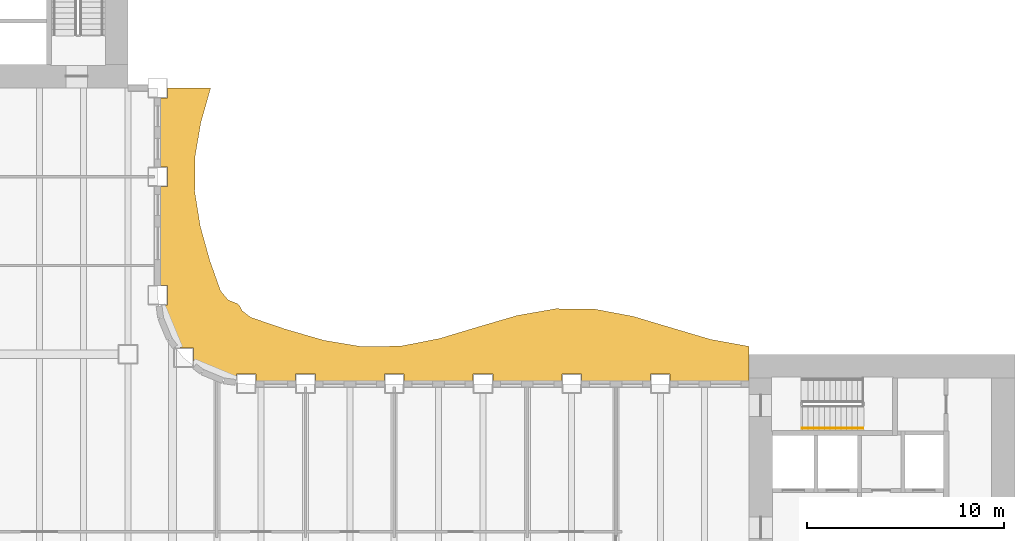
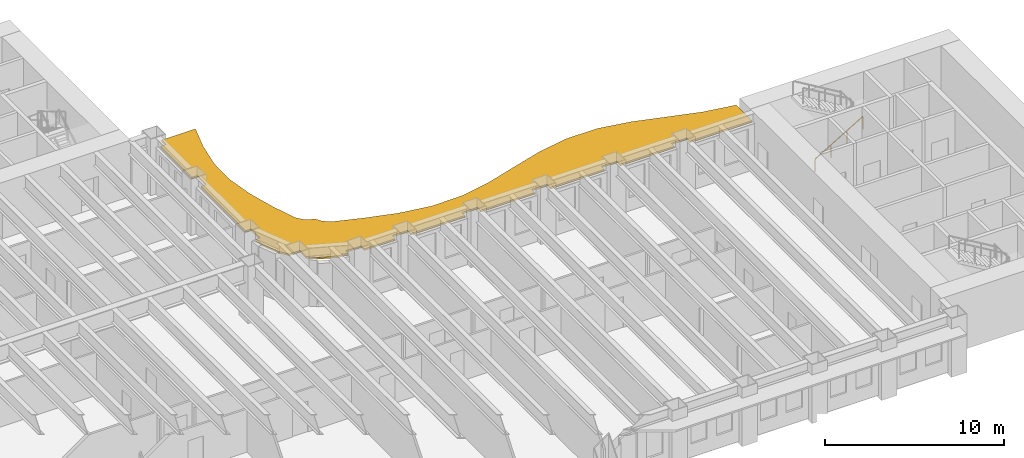
# One storey, part 14 of 16: 1 railing, 1 shading device.
"""IFC4 building model written with IfcOpenShell, lengths in metres."""

from ifc_helpers import new_model, si_unit, direction, frame, origin, origin_2d, place, context, subcontext, project, spatial, polyline, rectangle, outline, extrude, material, layer, layer_set, type_object, element, save


model = new_model("IFC4")

# Units and contexts
model_context = context("Model", 3, precision=1e-05, world=origin(), true_north=direction((0.0, 1.0)))
body_context = subcontext(model_context, "Body", "Model", "MODEL_VIEW")
ifc_project = project(units=[si_unit("LENGTHUNIT", "METRE"), si_unit("AREAUNIT", "SQUARE_METRE"), si_unit("VOLUMEUNIT", "CUBIC_METRE"), si_unit("PLANEANGLEUNIT", "RADIAN"), si_unit("MASSUNIT", "GRAM", prefix="KILO")], contexts=[model_context])

# Site, building, storey
site_placement = place(None, origin())
site = spatial("IfcSite", under=ifc_project, at=site_placement, CompositionType="ELEMENT")
building_placement = place(site_placement, origin())
building = spatial("IfcBuilding", under=site, at=building_placement, Name="Sennacour Bend Tower", CompositionType="ELEMENT")
storey_placement = place(building_placement, frame((0.0, 0.0, 87.0)))
storey = spatial("IfcBuildingStorey", under=building, at=storey_placement, Name="L19", CompositionType="ELEMENT", Elevation=87.0)

# Railing
ifc_material_1 = material(Name="Stainless steel", Category="steel")
railing_type = type_object("IfcRailingType", Name="RL-HANDRAIL-900", PredefinedType="HANDRAIL", material=ifc_material_1)
railing_placement = place(storey_placement, frame((56.699951171875, 18.75, 0.166748046875)))
element("IfcRailing", 1, at=railing_placement, inside=storey, type_object=railing_type, Name="L19 SA2 stair handrail 1", PredefinedType="HANDRAIL", context=body_context, shape_type="SweptSolid", body=[
    extrude(rectangle(XDim=0.048095703125, YDim=0.048095703125, at=origin_2d()), frame((0.0, 0.0, 0.8759765625), z_axis=(0.859308565015, 0.0, 0.511457515432), x_axis=(0.0, 1.0, 0.0)), (0.0, 0.0, 1.0), 3.58447265625),
    extrude(rectangle(XDim=0.0419921875, YDim=0.0419921875, at=origin_2d()), origin(), (0.0, 0.0, 1.0), 0.851806640625),
    extrude(rectangle(XDim=0.0419921875, YDim=0.0419921875, at=origin_2d()), frame((1.026611328125, 0.0, 0.611083984375)), (0.0, 0.0, 1.0), 0.851806640625),
    extrude(rectangle(XDim=0.0419921875, YDim=0.0419921875, at=origin_2d()), frame((2.053466796875, 0.0, 1.22216796875)), (0.0, 0.0, 1.0), 0.851806640625),
    extrude(rectangle(XDim=0.0419921875, YDim=0.0419921875, at=origin_2d()), frame((3.080078125, 0.0, 1.833251953125)), (0.0, 0.0, 1.0), 0.851806640625),
])

# Shading device
ifc_material_2 = material(Name="Bronze anodised aluminium", Category="aluminium")
ifc_layer = layer(ifc_material_2, 0.1201171875, Name="Bronze anodised aluminium", Category="aluminium")
ifc_layer_set = layer_set([ifc_layer], Name="Bronze anodised aluminium")
shading_device_type = type_object("IfcShadingDeviceType", Name="SUNSHADE BAND WAVE", PredefinedType="USERDEFINED", material=ifc_layer_set)
shading_device_placement = place(storey_placement, frame((0.0, 0.0, 3.033935546875)))
element("IfcShadingDevice", 2, at=shading_device_placement, inside=storey, type_object=shading_device_type, Name="Sunshade band L19 concave faces", ObjectType="SUNSHADE", PredefinedType="USERDEFINED", context=body_context, shape_type="SweptSolid", body=[
    extrude(outline(polyline([(54.0, 21.14990234375), (50.0, 21.14990234375), (50.0, 21.5), (49.0, 21.5), (49.0, 21.14990234375), (45.5, 21.14990234375), (45.5, 21.5), (44.5, 21.5), (44.5, 21.14990234375), (41.0, 21.14990234375), (41.0, 21.5), (40.0, 21.5), (40.0, 21.14990234375), (36.5, 21.14990234375), (36.5, 21.5), (35.5, 21.5), (35.5, 21.14990234375), (32.0, 21.14990234375), (32.0, 21.5), (31.0, 21.5), (31.0, 21.14990234375), (29.0, 21.14990234375), (29.0, 21.5), (28.0, 21.5), (28.0, 21.217041015625), (27.37451171875, 21.299560546875), (26.32568359375, 21.73388671875), (25.818115234375, 22.123291015625), (25.818115234375, 22.818115234375), (25.123291015625, 22.818115234375), (24.73388671875, 23.32568359375), (24.299560546875, 24.37451171875), (24.217041015625, 25.0), (24.5, 25.0), (24.5, 26.0), (24.14990234375, 26.0), (24.14990234375, 31.0), (24.5, 31.0), (24.5, 32.0), (24.14990234375, 32.0), (24.14990234375, 35.5), (24.5, 35.5), (24.5, 36.0), (26.6884765625, 36.0), (26.1923828125, 34.25), (25.89404296875, 32.5), (25.883056640625, 30.75), (26.16259765625, 29.0), (26.648681640625, 27.25), (27.195556640625, 25.70947265625), (27.576416015625, 25.25244140625), (28.060302734375, 25.060302734375), (28.1728515625, 24.93359375), (28.287841796875, 24.7080078125), (28.72119140625, 24.37451171875), (30.46142578125, 23.77978515625), (32.423095703125, 23.211181640625), (34.384521484375, 22.882568359375), (36.34619140625, 22.91650390625), (38.3076171875, 23.30078125), (40.269287109375, 23.89111328125), (42.230712890625, 24.4658203125), (44.1923828125, 24.809814453125), (46.15380859375, 24.793701171875), (48.115478515625, 24.423583984375), (50.076904296875, 23.83837890625), (52.03857421875, 23.257568359375), (54.0, 22.89892578125), (54.0, 21.14990234375)])), origin(), (0.0, 0.0, 1.0), 0.1201171875),
])

save(model, "model.ifc")
